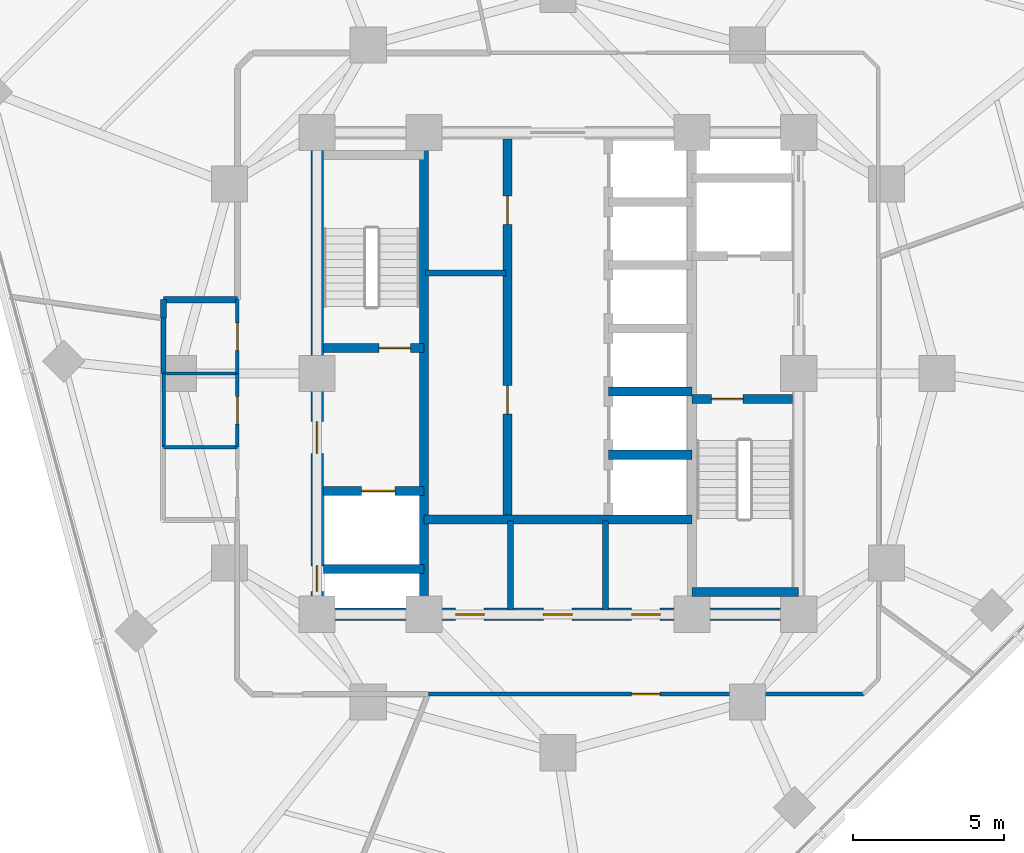
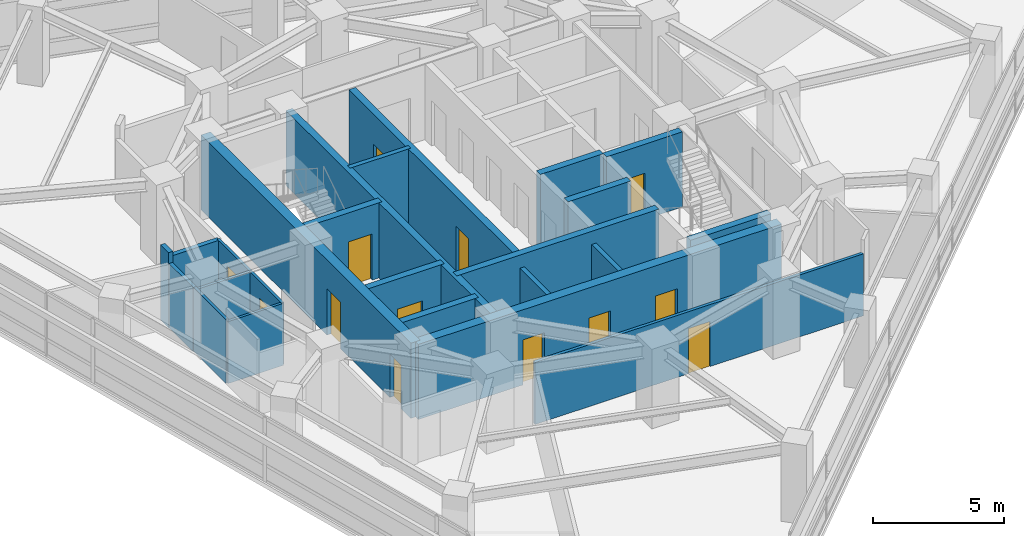
# One storey, part 7 of 13: 24 walls, 13 doors, 13 openings.
"""IFC4 building model written with IfcOpenShell, lengths in metres."""

from ifc_helpers import new_model, si_unit, direction, frame, frame_2d, origin, place, context, subcontext, project, spatial, rectangle, extrude, material, layer, layer_set, type_object, element, fill, save


model = new_model("IFC4")

# Units and contexts
model_context = context("Model", 3, precision=1e-05, world=origin(), true_north=direction((0.0, 1.0)))
body_context = subcontext(model_context, "Body", "Model", "MODEL_VIEW")
ifc_project = project(units=[si_unit("LENGTHUNIT", "METRE"), si_unit("AREAUNIT", "SQUARE_METRE"), si_unit("VOLUMEUNIT", "CUBIC_METRE"), si_unit("PLANEANGLEUNIT", "RADIAN"), si_unit("MASSUNIT", "GRAM", prefix="KILO")], contexts=[model_context])

# Site, building, storey
site_placement = place(None, origin())
site = spatial("IfcSite", under=ifc_project, at=site_placement, CompositionType="ELEMENT")
building_placement = place(site_placement, origin())
building = spatial("IfcBuilding", under=site, at=building_placement, Name="Terralouvre Media Tower", CompositionType="ELEMENT")
storey_placement = place(building_placement, frame((0.0, 0.0, 199.0)))
storey = spatial("IfcBuildingStorey", under=building, at=storey_placement, Name="L51", CompositionType="ELEMENT", Elevation=199.0)

# Wall
ifc_material_1 = material(Name="Concrete C50/60", Category="concrete")
ifc_layer_1 = layer(ifc_material_1, 0.300048828125, Name="Core Internal Shaft Wall CW-300")
ifc_layer_set_1 = layer_set([ifc_layer_1], Name="Concrete C50/60")
wall_type_1 = type_object("IfcWallType", Name="Core Internal Shaft Wall CW-300", PredefinedType="SHEAR", material=ifc_layer_set_1)
wall_1_placement = place(storey_placement, frame((-4.449951171875, -7.7900390625, 0.0), z_axis=(0.0, 0.0, 1.0), x_axis=(0.0, 1.0, 0.0)))
element("IfcWall", 1, at=wall_1_placement, inside=storey, type_object=wall_type_1, Name="L51 Core Shaft Wall SPW", PredefinedType="SHEAR", context=body_context, shape_type="SweptSolid", body=[
    extrude(rectangle(XDim=15.580078125, YDim=0.300048828125, at=frame_2d((7.7900390625, 0.0))), origin(), (0.0, 0.0, 1.0), 3.5),
])

# Wall, opening, door
wall_2_placement = place(storey_placement, frame((-7.7900390625, 0.85009765625, 0.0), z_axis=(0.0, 0.0, 1.0), x_axis=(1.0, 0.0, 0.0)))
wall_2 = element("IfcWall", 2, at=wall_2_placement, inside=storey, type_object=wall_type_1, Name="L51 Core Shaft Wall ST1D", PredefinedType="SHEAR", context=body_context, shape_type="SweptSolid", body=[
    extrude(rectangle(XDim=3.340087890625, YDim=0.300048828125, at=frame_2d((1.669921875, 0.0))), origin(), (0.0, 0.0, 1.0), 3.5),
])
opening_1_placement = place(wall_2_placement, frame((1.85009765625, 0.0, 0.0)))
opening_1 = element("IfcOpeningElement", 3, at=opening_1_placement, cuts=wall_2, Name="Opening FD-01-105X215", PredefinedType="OPENING", context=body_context, shape_type="SweptSolid", body=[
    extrude(rectangle(XDim=1.050048828125, YDim=2.14990234375, at=frame_2d((0.52490234375, 1.074951171875))), frame((0.0, 0.159912109375, 0.0), z_axis=(0.0, -1.0, 0.0), x_axis=(1.0, 0.0, 0.0)), (0.0, 0.0, 1.0), 0.320068359375),
])
ifc_material_2 = material(Name="Galvanised steel fire-resisting leaf", Category="steel")
door_type_1 = type_object("IfcDoorType", Name="Stair and Firefighting Lobby Fire Door FD-01 (1050x2150)", OperationType="NOTDEFINED", PredefinedType="DOOR", material=ifc_material_2)
door_1_placement = place(opening_1_placement, origin())
door_1 = element("IfcDoor", 4, at=door_1_placement, inside=storey, type_object=door_type_1, Name="L51 ST-01 Exit Stair Door", OperationType="SINGLE_SWING_LEFT", OverallHeight=2.14990234375, OverallWidth=1.050048828125, PredefinedType="DOOR", context=body_context, shape_type="SweptSolid", body=[
    extrude(rectangle(XDim=1.050048828125, YDim=2.14990234375, at=frame_2d((0.52490234375, 1.074951171875))), frame((0.0, 0.02490234375, 0.0), z_axis=(0.0, -1.0, 0.0), x_axis=(1.0, 0.0, 0.0)), (0.0, 0.0, 1.0), 0.050048828125),
])
fill(opening_1, door_1)

wall_3_placement = place(storey_placement, frame((4.449951171875, -0.85009765625, 0.0), z_axis=(0.0, 0.0, 1.0), x_axis=(1.0, 0.0, 0.0)))
wall_3 = element("IfcWall", 5, at=wall_3_placement, inside=storey, type_object=wall_type_1, Name="L51 Core Shaft Wall ST2D", PredefinedType="SHEAR", context=body_context, shape_type="SweptSolid", body=[
    extrude(rectangle(XDim=3.340087890625, YDim=0.300048828125, at=frame_2d((1.669921875, 0.0))), origin(), (0.0, 0.0, 1.0), 3.5),
])
opening_2_placement = place(wall_3_placement, frame((0.64990234375, 0.0, 0.0)))
opening_2 = element("IfcOpeningElement", 6, at=opening_2_placement, cuts=wall_3, Name="Opening FD-01-105X215", PredefinedType="OPENING", context=body_context, shape_type="SweptSolid", body=[
    extrude(rectangle(XDim=1.050048828125, YDim=2.14990234375, at=frame_2d((0.52490234375, 1.074951171875))), frame((0.0, 0.159912109375, 0.0), z_axis=(0.0, -1.0, 0.0), x_axis=(1.0, 0.0, 0.0)), (0.0, 0.0, 1.0), 0.320068359375),
])
door_2_placement = place(opening_2_placement, origin())
door_2 = element("IfcDoor", 7, at=door_2_placement, inside=storey, type_object=door_type_1, Name="L51 ST-02 Exit Stair Door", OperationType="SINGLE_SWING_RIGHT", OverallHeight=2.14990234375, OverallWidth=1.050048828125, PredefinedType="DOOR", context=body_context, shape_type="SweptSolid", body=[
    extrude(rectangle(XDim=1.050048828125, YDim=2.14990234375, at=frame_2d((0.52490234375, 1.074951171875))), frame((0.0, 0.02490234375, 0.0), z_axis=(0.0, -1.0, 0.0), x_axis=(1.0, 0.0, 0.0)), (0.0, 0.0, 1.0), 0.050048828125),
])
fill(opening_2, door_2)

# Wall
wall_4_placement = place(storey_placement, frame((4.449951171875, -7.260009765625, 0.0), z_axis=(0.0, 0.0, 1.0), x_axis=(1.0, 0.0, 0.0)))
element("IfcWall", 8, at=wall_4_placement, inside=storey, type_object=wall_type_1, Name="L51 Core Shaft Wall ST2F", PredefinedType="SHEAR", context=body_context, shape_type="SweptSolid", body=[
    extrude(rectangle(XDim=3.550048828125, YDim=0.300048828125, at=frame_2d((1.77490234375, 0.0))), origin(), (0.0, 0.0, 1.0), 3.5),
])

# Wall, opening, door
wall_5_placement = place(storey_placement, frame((-7.7900390625, -3.89990234375, 0.0), z_axis=(0.0, 0.0, 1.0), x_axis=(1.0, 0.0, 0.0)))
wall_5 = element("IfcWall", 9, at=wall_5_placement, inside=storey, type_object=wall_type_1, Name="L51 Core Shaft Wall FF1N", PredefinedType="SHEAR", context=body_context, shape_type="SweptSolid", body=[
    extrude(rectangle(XDim=3.340087890625, YDim=0.300048828125, at=frame_2d((1.669921875, 0.0))), origin(), (0.0, 0.0, 1.0), 3.5),
])
opening_3_placement = place(wall_5_placement, frame((1.27001953125, 0.0, 0.0)))
opening_3 = element("IfcOpeningElement", 10, at=opening_3_placement, cuts=wall_5, Name="Opening LD-FF", PredefinedType="OPENING", context=body_context, shape_type="SweptSolid", body=[
    extrude(rectangle(XDim=1.10009765625, YDim=2.10009765625, at=frame_2d((0.550048828125, 1.050048828125))), frame((0.0, 0.159912109375, 0.0), z_axis=(0.0, -1.0, 0.0), x_axis=(1.0, 0.0, 0.0)), (0.0, 0.0, 1.0), 0.320068359375),
])
ifc_material_3 = material(Name="Stainless steel 316 handrail and balustrade", Category="steel")
door_type_2 = type_object("IfcDoorType", Name="Firefighting Lift Sliding Landing Door LD-FF", OperationType="SLIDING_TO_LEFT", PredefinedType="DOOR", material=ifc_material_3)
door_3_placement = place(opening_3_placement, origin())
door_3 = element("IfcDoor", 11, at=door_3_placement, inside=storey, type_object=door_type_2, Name="L51 Firefighting Lift FFL-01 Landing Door", OperationType="SLIDING_TO_LEFT", OverallHeight=2.10009765625, OverallWidth=1.10009765625, PredefinedType="DOOR", context=body_context, shape_type="SweptSolid", body=[
    extrude(rectangle(XDim=1.10009765625, YDim=2.10009765625, at=frame_2d((0.550048828125, 1.050048828125))), frame((0.0, 0.02490234375, 0.0), z_axis=(0.0, -1.0, 0.0), x_axis=(1.0, 0.0, 0.0)), (0.0, 0.0, 1.0), 0.050048828125),
])
fill(opening_3, door_3)

# Walls
wall_6_placement = place(storey_placement, frame((-7.7900390625, -6.5, 0.0), z_axis=(0.0, 0.0, 1.0), x_axis=(1.0, 0.0, 0.0)))
element("IfcWall", 12, at=wall_6_placement, inside=storey, type_object=wall_type_1, Name="L51 Core Shaft Wall FF1S", PredefinedType="SHEAR", context=body_context, shape_type="SweptSolid", body=[
    extrude(rectangle(XDim=3.340087890625, YDim=0.300048828125, at=frame_2d((1.669921875, 0.0))), origin(), (0.0, 0.0, 1.0), 3.5),
])
wall_7_placement = place(storey_placement, frame((-4.449951171875, -4.85009765625, 0.0), z_axis=(0.0, 0.0, 1.0), x_axis=(1.0, 0.0, 0.0)))
element("IfcWall", 13, at=wall_7_placement, inside=storey, type_object=wall_type_1, Name="L51 Core Shaft Wall CSBN", PredefinedType="SHEAR", context=body_context, shape_type="SweptSolid", body=[
    extrude(rectangle(XDim=8.89990234375, YDim=0.300048828125, at=frame_2d((4.449951171875, 0.0))), origin(), (0.0, 0.0, 1.0), 3.5),
])

# Wall, openings, doors
wall_8_placement = place(storey_placement, frame((-1.679931640625, -4.85009765625, 0.0), z_axis=(0.0, 0.0, 1.0), x_axis=(0.0, 1.0, 0.0)))
wall_8 = element("IfcWall", 14, at=wall_8_placement, inside=storey, type_object=wall_type_1, Name="L51 Core Shaft Wall LBW", PredefinedType="SHEAR", context=body_context, shape_type="SweptSolid", body=[
    extrude(rectangle(XDim=12.64013671875, YDim=0.300048828125, at=frame_2d((6.320068359375, 0.0))), origin(), (0.0, 0.0, 1.0), 3.5),
])
opening_4_placement = place(wall_8_placement, frame((3.5, 0.0, 0.0)))
opening_4 = element("IfcOpeningElement", 15, at=opening_4_placement, cuts=wall_8, Name="Opening FD-04-95X210", PredefinedType="OPENING", context=body_context, shape_type="SweptSolid", body=[
    extrude(rectangle(XDim=0.949951171875, YDim=2.10009765625, at=frame_2d((0.47509765625, 1.050048828125))), frame((0.0, 0.159912109375, 0.0), z_axis=(0.0, -1.0, 0.0), x_axis=(1.0, 0.0, 0.0)), (0.0, 0.0, 1.0), 0.320068359375),
])
opening_5_placement = place(wall_8_placement, frame((9.800048828125, 0.0, 0.0)))
opening_5 = element("IfcOpeningElement", 16, at=opening_5_placement, cuts=wall_8, Name="Opening FD-02-95X210", PredefinedType="OPENING", context=body_context, shape_type="SweptSolid", body=[
    extrude(rectangle(XDim=0.949951171875, YDim=2.10009765625, at=frame_2d((0.47509765625, 1.050048828125))), frame((0.0, 0.159912109375, 0.0), z_axis=(0.0, -1.0, 0.0), x_axis=(1.0, 0.0, 0.0)), (0.0, 0.0, 1.0), 0.320068359375),
])
ifc_material_4 = material(Name="Galvanised steel fire-resisting leaf", Category="steel")
door_type_3 = type_object("IfcDoorType", Name="Core Store and Service Fire Door FD-04 (950x2100)", OperationType="NOTDEFINED", PredefinedType="DOOR", material=ifc_material_4)
door_4_placement = place(opening_4_placement, origin())
door_4 = element("IfcDoor", 17, at=door_4_placement, inside=storey, type_object=door_type_3, Name="L51 Core Archive Store Door", OperationType="SINGLE_SWING_LEFT", OverallHeight=2.10009765625, OverallWidth=0.949951171875, PredefinedType="DOOR", context=body_context, shape_type="SweptSolid", body=[
    extrude(rectangle(XDim=0.949951171875, YDim=2.10009765625, at=frame_2d((0.47509765625, 1.050048828125))), frame((0.0, 0.02490234375, 0.0), z_axis=(0.0, -1.0, 0.0), x_axis=(1.0, 0.0, 0.0)), (0.0, 0.0, 1.0), 0.050048828125),
])
fill(opening_4, door_4)
ifc_material_5 = material(Name="Galvanised steel fire-resisting leaf", Category="steel")
door_type_4 = type_object("IfcDoorType", Name="Plant and Riser Fire Door FD-02 (950x2100)", OperationType="NOTDEFINED", PredefinedType="DOOR", material=ifc_material_5)
door_5_placement = place(opening_5_placement, origin())
door_5 = element("IfcDoor", 18, at=door_5_placement, inside=storey, type_object=door_type_4, Name="L51 Core AV Repeater Plant Door", OperationType="SINGLE_SWING_RIGHT", OverallHeight=2.10009765625, OverallWidth=0.949951171875, PredefinedType="DOOR", context=body_context, shape_type="SweptSolid", body=[
    extrude(rectangle(XDim=0.949951171875, YDim=2.10009765625, at=frame_2d((0.47509765625, 1.050048828125))), frame((0.0, 0.02490234375, 0.0), z_axis=(0.0, -1.0, 0.0), x_axis=(1.0, 0.0, 0.0)), (0.0, 0.0, 1.0), 0.050048828125),
])
fill(opening_5, door_5)

# Walls
for number, where, z_axis, x_axis, name in (
    (19, (1.679931640625, -2.699951171875, 0.0), (0.0, 0.0, 1.0), (1.0, 0.0, 0.0), "L51 Core Shaft Wall PLHD1"),
    (20, (1.679931640625, -0.60009765625, 0.0), (0.0, 0.0, 1.0), (1.0, 0.0, 0.0), "L51 Core Shaft Wall PLHD2"),
):
    element("IfcWall", number, at=place(storey_placement, frame(where, z_axis=z_axis, x_axis=x_axis)), inside=storey, type_object=wall_type_1, Name=name, PredefinedType="SHEAR", context=body_context, shape_type="SweptSolid", body=[
        extrude(rectangle(XDim=2.77001953125, YDim=0.300048828125, at=frame_2d((1.385009765625, 0.0))), origin(), (0.0, 0.0, 1.0), 3.5),
    ])

# Wall, openings, doors
ifc_material_6 = material(Name="Concrete C60/75", Category="concrete")
ifc_layer_2 = layer(ifc_material_6, 0.419921875, Name="Core Reinforced Concrete Shear Wall CW-420")
ifc_layer_set_2 = layer_set([ifc_layer_2], Name="Concrete C60/75")
wall_type_2 = type_object("IfcWallType", Name="Core Reinforced Concrete Shear Wall CW-420", PredefinedType="SHEAR", material=ifc_layer_set_2)
wall_9_placement = place(storey_placement, frame((-8.0, -8.0, 0.0), z_axis=(0.0, 0.0, 1.0), x_axis=(0.0, 1.0, 0.0)))
wall_9 = element("IfcWall", 21, at=wall_9_placement, inside=storey, type_object=wall_type_2, Name="L51 W Core Shear Wall", PredefinedType="SHEAR", context=body_context, shape_type="SweptSolid", body=[
    extrude(rectangle(XDim=16.0, YDim=0.419921875, at=frame_2d((8.0, 0.0))), origin(), (0.0, 0.0, 1.0), 3.5),
])
opening_6_placement = place(wall_9_placement, frame((0.76123046875, 0.0, 0.0)))
opening_6 = element("IfcOpeningElement", 22, at=opening_6_placement, cuts=wall_9, Name="Opening TD-R1", PredefinedType="OPENING", context=body_context, shape_type="SweptSolid", body=[
    extrude(rectangle(XDim=0.85009765625, YDim=2.02001953125, at=frame_2d((0.425048828125, 1.010009765625))), frame((0.0, 0.219970703125, 0.0), z_axis=(0.0, -1.0, 0.0), x_axis=(1.0, 0.0, 0.0)), (0.0, 0.0, 1.0), 0.43994140625),
])
opening_7_placement = place(wall_9_placement, frame((5.35009765625, 0.0, 0.0)))
opening_7 = element("IfcOpeningElement", 23, at=opening_7_placement, cuts=wall_9, Name="Opening FD-01-105X215", PredefinedType="OPENING", context=body_context, shape_type="SweptSolid", body=[
    extrude(rectangle(XDim=1.050048828125, YDim=2.14990234375, at=frame_2d((0.52490234375, 1.074951171875))), frame((0.0, 0.219970703125, 0.0), z_axis=(0.0, -1.0, 0.0), x_axis=(1.0, 0.0, 0.0)), (0.0, 0.0, 1.0), 0.43994140625),
])
ifc_material_7 = material(Name="Galvanised steel fire-resisting leaf", Category="steel")
door_type_5 = type_object("IfcDoorType", Name="Riser Inspection Access Trapdoor TD-R1", OperationType="NOTDEFINED", PredefinedType="TRAPDOOR", material=ifc_material_7)
door_6_placement = place(opening_6_placement, origin())
door_6 = element("IfcDoor", 24, at=door_6_placement, inside=storey, type_object=door_type_5, Name="L51 Wet Riser Access Trapdoor", OperationType="SINGLE_SWING_LEFT", OverallHeight=2.02001953125, OverallWidth=0.85009765625, PredefinedType="TRAPDOOR", context=body_context, shape_type="SweptSolid", body=[
    extrude(rectangle(XDim=0.85009765625, YDim=2.02001953125, at=frame_2d((0.425048828125, 1.010009765625))), frame((0.0, 0.02490234375, 0.0), z_axis=(0.0, -1.0, 0.0), x_axis=(1.0, 0.0, 0.0)), (0.0, 0.0, 1.0), 0.050048828125),
])
fill(opening_6, door_6)
door_7_placement = place(opening_7_placement, origin())
door_7 = element("IfcDoor", 25, at=door_7_placement, inside=storey, type_object=door_type_1, Name="L51 West Firefighting Lobby Entry Door", OperationType="SINGLE_SWING_RIGHT", OverallHeight=2.14990234375, OverallWidth=1.050048828125, PredefinedType="DOOR", context=body_context, shape_type="SweptSolid", body=[
    extrude(rectangle(XDim=1.050048828125, YDim=2.14990234375, at=frame_2d((0.52490234375, 1.074951171875))), frame((0.0, 0.02490234375, 0.0), z_axis=(0.0, -1.0, 0.0), x_axis=(1.0, 0.0, 0.0)), (0.0, 0.0, 1.0), 0.050048828125),
])
fill(opening_7, door_7)

wall_10_placement = place(storey_placement, frame((-8.0, -8.0, 0.0), z_axis=(0.0, 0.0, 1.0), x_axis=(1.0, 0.0, 0.0)))
wall_10 = element("IfcWall", 26, at=wall_10_placement, inside=storey, type_object=wall_type_2, Name="L51 S Core Shear Wall", PredefinedType="SHEAR", context=body_context, shape_type="SweptSolid", body=[
    extrude(rectangle(XDim=16.0, YDim=0.419921875, at=frame_2d((8.0, 0.0))), origin(), (0.0, 0.0, 1.0), 3.5),
])
opening_8_placement = place(wall_10_placement, frame((4.60009765625, 0.0, 0.0)))
opening_8 = element("IfcOpeningElement", 27, at=opening_8_placement, cuts=wall_10, Name="Opening FD-02-95X210", PredefinedType="OPENING", context=body_context, shape_type="SweptSolid", body=[
    extrude(rectangle(XDim=0.949951171875, YDim=2.10009765625, at=frame_2d((0.47509765625, 1.050048828125))), frame((0.0, 0.219970703125, 0.0), z_axis=(0.0, -1.0, 0.0), x_axis=(1.0, 0.0, 0.0)), (0.0, 0.0, 1.0), 0.43994140625),
])
opening_9_placement = place(wall_10_placement, frame((7.52001953125, 0.0, 0.0)))
opening_9 = element("IfcOpeningElement", 28, at=opening_9_placement, cuts=wall_10, Name="Opening FD-02-95X210", PredefinedType="OPENING", context=body_context, shape_type="SweptSolid", body=[
    extrude(rectangle(XDim=0.949951171875, YDim=2.10009765625, at=frame_2d((0.47509765625, 1.050048828125))), frame((0.0, 0.219970703125, 0.0), z_axis=(0.0, -1.0, 0.0), x_axis=(1.0, 0.0, 0.0)), (0.0, 0.0, 1.0), 0.43994140625),
])
opening_10_placement = place(wall_10_placement, frame((10.449951171875, 0.0, 0.0)))
opening_10 = element("IfcOpeningElement", 29, at=opening_10_placement, cuts=wall_10, Name="Opening FD-02-95X210", PredefinedType="OPENING", context=body_context, shape_type="SweptSolid", body=[
    extrude(rectangle(XDim=0.949951171875, YDim=2.10009765625, at=frame_2d((0.47509765625, 1.050048828125))), frame((0.0, 0.219970703125, 0.0), z_axis=(0.0, -1.0, 0.0), x_axis=(1.0, 0.0, 0.0)), (0.0, 0.0, 1.0), 0.43994140625),
])
door_8_placement = place(opening_8_placement, origin())
door_8 = element("IfcDoor", 30, at=door_8_placement, inside=storey, type_object=door_type_4, Name="L51 Core Janitor Store Door", OperationType="SINGLE_SWING_LEFT", OverallHeight=2.10009765625, OverallWidth=0.949951171875, PredefinedType="DOOR", context=body_context, shape_type="SweptSolid", body=[
    extrude(rectangle(XDim=0.949951171875, YDim=2.10009765625, at=frame_2d((0.47509765625, 1.050048828125))), frame((0.0, 0.02490234375, 0.0), z_axis=(0.0, -1.0, 0.0), x_axis=(1.0, 0.0, 0.0)), (0.0, 0.0, 1.0), 0.050048828125),
])
fill(opening_8, door_8)
door_9_placement = place(opening_9_placement, origin())
door_9 = element("IfcDoor", 31, at=door_9_placement, inside=storey, type_object=door_type_4, Name="L51 Core Linen Store Door", OperationType="SINGLE_SWING_RIGHT", OverallHeight=2.10009765625, OverallWidth=0.949951171875, PredefinedType="DOOR", context=body_context, shape_type="SweptSolid", body=[
    extrude(rectangle(XDim=0.949951171875, YDim=2.10009765625, at=frame_2d((0.47509765625, 1.050048828125))), frame((0.0, 0.02490234375, 0.0), z_axis=(0.0, -1.0, 0.0), x_axis=(1.0, 0.0, 0.0)), (0.0, 0.0, 1.0), 0.050048828125),
])
fill(opening_9, door_9)
door_10_placement = place(opening_10_placement, origin())
door_10 = element("IfcDoor", 32, at=door_10_placement, inside=storey, type_object=door_type_4, Name="L51 Core Metering Plant Door", OperationType="SINGLE_SWING_LEFT", OverallHeight=2.10009765625, OverallWidth=0.949951171875, PredefinedType="DOOR", context=body_context, shape_type="SweptSolid", body=[
    extrude(rectangle(XDim=0.949951171875, YDim=2.10009765625, at=frame_2d((0.47509765625, 1.050048828125))), frame((0.0, 0.02490234375, 0.0), z_axis=(0.0, -1.0, 0.0), x_axis=(1.0, 0.0, 0.0)), (0.0, 0.0, 1.0), 0.050048828125),
])
fill(opening_10, door_10)

# Walls
ifc_material_8 = material(Name="Fire-rated gypsum board drywall partition")
ifc_layer_3 = layer(ifc_material_8, 0.199951171875, Name="Fire-Rated Shaft and Lobby Partition FW-200")
ifc_layer_set_3 = layer_set([ifc_layer_3], Name="Fire-rated gypsum board drywall partition")
wall_type_3 = type_object("IfcWallType", Name="Fire-Rated Shaft and Lobby Partition FW-200", PredefinedType="SOLIDWALL", material=ifc_layer_set_3)
for number, where, z_axis, x_axis, name in (
    (33, (-1.580078125, -7.85009765625, 0.0), (0.0, 0.0, 1.0), (0.0, 1.0, 0.0), "L51 Core Service Bay Partition 1"),
    (34, (1.580078125, -7.85009765625, 0.0), (0.0, 0.0, 1.0), (0.0, 1.0, 0.0), "L51 Core Service Bay Partition 2"),
):
    element("IfcWall", number, at=place(storey_placement, frame(where, z_axis=z_axis, x_axis=x_axis)), inside=storey, type_object=wall_type_3, Name=name, PredefinedType="SOLIDWALL", context=body_context, shape_type="SweptSolid", body=[
        extrude(rectangle(XDim=2.9501953125, YDim=0.199951171875, at=frame_2d((1.47509765625, 0.0))), origin(), (0.0, 0.0, 1.0), 2.885009765625),
    ])
wall_11_placement = place(storey_placement, frame((-4.39990234375, 3.340087890625, 0.0), z_axis=(0.0, 0.0, 1.0), x_axis=(1.0, 0.0, 0.0)))
element("IfcWall", 35, at=wall_11_placement, inside=storey, type_object=wall_type_3, Name="L51 Core West Sub-Partition 1", PredefinedType="SOLIDWALL", context=body_context, shape_type="SweptSolid", body=[
    extrude(rectangle(XDim=2.679931640625, YDim=0.199951171875, at=frame_2d((1.33984375, 0.0))), origin(), (0.0, 0.0, 1.0), 3.5),
])
wall_12_placement = place(storey_placement, frame((-13.10009765625, 1.841064453125, 0.0), z_axis=(0.0, 0.0, 1.0), x_axis=(0.0, 1.0, 0.0)))
element("IfcWall", 36, at=wall_12_placement, inside=storey, type_object=wall_type_3, Name="L51 Interior Partition 028", PredefinedType="SOLIDWALL", context=body_context, shape_type="SweptSolid", body=[
    extrude(rectangle(XDim=0.60888671875, YDim=0.199951171875, at=frame_2d((0.304443359375, 0.0))), origin(), (0.0, 0.0, 1.0), 3.5),
])
wall_13_placement = place(storey_placement, frame((-13.10009765625, 2.449951171875, 0.0), z_axis=(0.0, 0.0, 1.0), x_axis=(1.0, 0.0, 0.0)))
element("IfcWall", 37, at=wall_13_placement, inside=storey, type_object=wall_type_3, Name="L51 Interior Partition 029", PredefinedType="SOLIDWALL", context=body_context, shape_type="SweptSolid", body=[
    extrude(rectangle(XDim=2.4501953125, YDim=0.199951171875, at=frame_2d((1.22509765625, 0.0))), origin(), (0.0, 0.0, 1.0), 2.885009765625),
])

# Wall, opening, door
ifc_material_9 = material(Name="Fire-rated gypsum board drywall partition")
ifc_layer_4 = layer(ifc_material_9, 0.135009765625, Name="Newsroom Acoustic Partition PT-135")
ifc_layer_set_4 = layer_set([ifc_layer_4], Name="Fire-rated gypsum board drywall partition")
wall_type_4 = type_object("IfcWallType", Name="Newsroom Acoustic Partition PT-135", PredefinedType="PARTITIONING", material=ifc_layer_set_4)
wall_14_placement = place(storey_placement, frame((-4.302978515625, -10.64990234375, 0.0), z_axis=(0.0, 0.0, 1.0), x_axis=(1.0, 0.0, 0.0)))
wall_14 = element("IfcWall", 38, at=wall_14_placement, inside=storey, type_object=wall_type_4, Name="L51 Interior Partition 006", PredefinedType="PARTITIONING", context=body_context, shape_type="SweptSolid", body=[
    extrude(rectangle(XDim=14.452880859375, YDim=0.135009765625, at=frame_2d((7.2265625, 0.0))), origin(), (0.0, 0.0, 1.0), 2.885009765625),
])
opening_11_placement = place(wall_14_placement, frame((6.75146484375, 0.0, 0.0)))
opening_11 = element("IfcOpeningElement", 39, at=opening_11_placement, cuts=wall_14, Name="Opening ID-02-95X210", PredefinedType="OPENING", context=body_context, shape_type="SweptSolid", body=[
    extrude(rectangle(XDim=0.949951171875, YDim=2.10009765625, at=frame_2d((0.47509765625, 1.050048828125))), frame((0.0, 0.077392578125, 0.0), z_axis=(0.0, -1.0, 0.0), x_axis=(1.0, 0.0, 0.0)), (0.0, 0.0, 1.0), 0.155029296875),
])
ifc_material_10 = material(Name="Engineered hardwood acoustic timber leaf", Category="wood")
door_type_6 = type_object("IfcDoorType", Name="Office and Meeting Room Door ID-02 (950x2100)", OperationType="NOTDEFINED", PredefinedType="DOOR", material=ifc_material_10)
door_11_placement = place(opening_11_placement, origin())
door_11 = element("IfcDoor", 40, at=door_11_placement, inside=storey, type_object=door_type_6, Name="L51 Correspondent Club Lounge 2 Door", OperationType="SINGLE_SWING_LEFT", OverallHeight=2.10009765625, OverallWidth=0.949951171875, PredefinedType="DOOR", context=body_context, shape_type="SweptSolid", body=[
    extrude(rectangle(XDim=0.949951171875, YDim=2.10009765625, at=frame_2d((0.47509765625, 1.050048828125))), frame((0.0, 0.02490234375, 0.0), z_axis=(0.0, -1.0, 0.0), x_axis=(1.0, 0.0, 0.0)), (0.0, 0.0, 1.0), 0.050048828125),
])
fill(opening_11, door_11)

ifc_material_11 = material(Name="Fire-rated gypsum board drywall partition")
ifc_layer_5 = layer(ifc_material_11, 0.114990234375, Name="Restroom and Pantry Partition PT-115")
ifc_layer_set_5 = layer_set([ifc_layer_5], Name="Fire-rated gypsum board drywall partition")
wall_type_5 = type_object("IfcWallType", Name="Restroom and Pantry Partition PT-115", PredefinedType="PARTITIONING", material=ifc_layer_set_5)
wall_15_placement = place(storey_placement, frame((-10.64990234375, 0.0, 0.0), z_axis=(0.0, 0.0, 1.0), x_axis=(0.0, -1.0, 0.0)))
wall_15 = element("IfcWall", 41, at=wall_15_placement, inside=storey, type_object=wall_type_5, Name="L51 Interior Partition 001", PredefinedType="PARTITIONING", context=body_context, shape_type="SweptSolid", body=[
    extrude(rectangle(XDim=2.449951171875, YDim=0.114990234375, at=frame_2d((1.22509765625, 0.0))), origin(), (0.0, 0.0, 1.0), 2.885009765625),
])
opening_12_placement = place(wall_15_placement, frame((0.764892578125, 0.0, 0.0)))
opening_12 = element("IfcOpeningElement", 42, at=opening_12_placement, cuts=wall_15, Name="Opening ID-03-92X210", PredefinedType="OPENING", context=body_context, shape_type="SweptSolid", body=[
    extrude(rectangle(XDim=0.919921875, YDim=2.10009765625, at=frame_2d((0.4599609375, 1.050048828125))), frame((0.0, 0.0673828125, 0.0), z_axis=(0.0, -1.0, 0.0), x_axis=(1.0, 0.0, 0.0)), (0.0, 0.0, 1.0), 0.135009765625),
])
ifc_material_12 = material(Name="Engineered hardwood acoustic timber leaf", Category="wood")
door_type_7 = type_object("IfcDoorType", Name="Accessible Restroom and Suite Door ID-03 (920x2100)", OperationType="NOTDEFINED", PredefinedType="DOOR", material=ifc_material_12)
door_12_placement = place(opening_12_placement, origin())
door_12 = element("IfcDoor", 43, at=door_12_placement, inside=storey, type_object=door_type_7, Name="L51 Female Restroom WC Door", OperationType="SINGLE_SWING_RIGHT", OverallHeight=2.10009765625, OverallWidth=0.919921875, PredefinedType="DOOR", context=body_context, shape_type="SweptSolid", body=[
    extrude(rectangle(XDim=0.919921875, YDim=2.10009765625, at=frame_2d((0.4599609375, 1.050048828125))), frame((0.0, 0.02490234375, 0.0), z_axis=(0.0, -1.0, 0.0), x_axis=(1.0, 0.0, 0.0)), (0.0, 0.0, 1.0), 0.050048828125),
])
fill(opening_12, door_12)

wall_16_placement = place(storey_placement, frame((-10.64990234375, 2.449951171875, 0.0), z_axis=(0.0, 0.0, 1.0), x_axis=(0.0, -1.0, 0.0)))
wall_16 = element("IfcWall", 44, at=wall_16_placement, inside=storey, type_object=wall_type_5, Name="L51 Interior Partition 016", PredefinedType="PARTITIONING", context=body_context, shape_type="SweptSolid", body=[
    extrude(rectangle(XDim=2.449951171875, YDim=0.114990234375, at=frame_2d((1.22509765625, 0.0))), origin(), (0.0, 0.0, 1.0), 2.885009765625),
])
opening_13_placement = place(wall_16_placement, frame((0.764892578125, 0.0, 0.0)))
opening_13 = element("IfcOpeningElement", 45, at=opening_13_placement, cuts=wall_16, Name="Opening ID-03-92X210", PredefinedType="OPENING", context=body_context, shape_type="SweptSolid", body=[
    extrude(rectangle(XDim=0.919921875, YDim=2.10009765625, at=frame_2d((0.4599609375, 1.050048828125))), frame((0.0, 0.0673828125, 0.0), z_axis=(0.0, -1.0, 0.0), x_axis=(1.0, 0.0, 0.0)), (0.0, 0.0, 1.0), 0.135009765625),
])
door_13_placement = place(opening_13_placement, origin())
door_13 = element("IfcDoor", 46, at=door_13_placement, inside=storey, type_object=door_type_7, Name="L51 Accessible Unisex WC Door", OperationType="SINGLE_SWING_RIGHT", OverallHeight=2.10009765625, OverallWidth=0.919921875, PredefinedType="DOOR", context=body_context, shape_type="SweptSolid", body=[
    extrude(rectangle(XDim=0.919921875, YDim=2.10009765625, at=frame_2d((0.4599609375, 1.050048828125))), frame((0.0, 0.02490234375, 0.0), z_axis=(0.0, -1.0, 0.0), x_axis=(1.0, 0.0, 0.0)), (0.0, 0.0, 1.0), 0.050048828125),
])
fill(opening_13, door_13)

# Walls
wall_17_placement = place(storey_placement, frame((-13.10009765625, -2.449951171875, 0.0), z_axis=(0.0, 0.0, 1.0), x_axis=(1.0, 0.0, 0.0)))
element("IfcWall", 47, at=wall_17_placement, inside=storey, type_object=wall_type_5, Name="L51 Interior Partition 017", PredefinedType="PARTITIONING", context=body_context, shape_type="SweptSolid", body=[
    extrude(rectangle(XDim=2.4501953125, YDim=0.114990234375, at=frame_2d((1.22509765625, 0.0))), origin(), (0.0, 0.0, 1.0), 2.885009765625),
])
wall_18_placement = place(storey_placement, frame((-13.10009765625, 0.0, 0.0), z_axis=(0.0, 0.0, 1.0), x_axis=(0.0, -1.0, 0.0)))
element("IfcWall", 48, at=wall_18_placement, inside=storey, type_object=wall_type_5, Name="L51 Interior Partition 018", PredefinedType="PARTITIONING", context=body_context, shape_type="SweptSolid", body=[
    extrude(rectangle(XDim=2.449951171875, YDim=0.114990234375, at=frame_2d((1.22509765625, 0.0))), origin(), (0.0, 0.0, 1.0), 2.985107421875),
])
wall_19_placement = place(storey_placement, frame((-10.64990234375, 0.0, 0.0), z_axis=(0.0, 0.0, 1.0), x_axis=(-1.0, 0.0, 0.0)))
element("IfcWall", 49, at=wall_19_placement, inside=storey, type_object=wall_type_5, Name="L51 Interior Partition 019", PredefinedType="PARTITIONING", context=body_context, shape_type="SweptSolid", body=[
    extrude(rectangle(XDim=2.4501953125, YDim=0.114990234375, at=frame_2d((1.22509765625, 0.0))), origin(), (0.0, 0.0, 1.0), 2.885009765625),
])
ifc_material_13 = material(Name="Fire-rated gypsum board drywall partition")
ifc_layer_6 = layer(ifc_material_13, 0.159912109375, Name="Studio Acoustic Rated Partition PT-160")
ifc_layer_set_6 = layer_set([ifc_layer_6], Name="Fire-rated gypsum board drywall partition")
wall_type_6 = type_object("IfcWallType", Name="Studio Acoustic Rated Partition PT-160", PredefinedType="PARTITIONING", material=ifc_layer_set_6)
wall_20_placement = place(storey_placement, frame((-13.10009765625, 0.0, 0.0), z_axis=(0.0, 0.0, 1.0), x_axis=(0.0, 1.0, 0.0)))
element("IfcWall", 50, at=wall_20_placement, inside=storey, type_object=wall_type_6, Name="L51 Interior Partition 024", PredefinedType="PARTITIONING", context=body_context, shape_type="SweptSolid", body=[
    extrude(rectangle(XDim=1.841064453125, YDim=0.159912109375, at=frame_2d((0.92041015625, 0.0))), origin(), (0.0, 0.0, 1.0), 2.985107421875),
])

save(model, "model.ifc")
